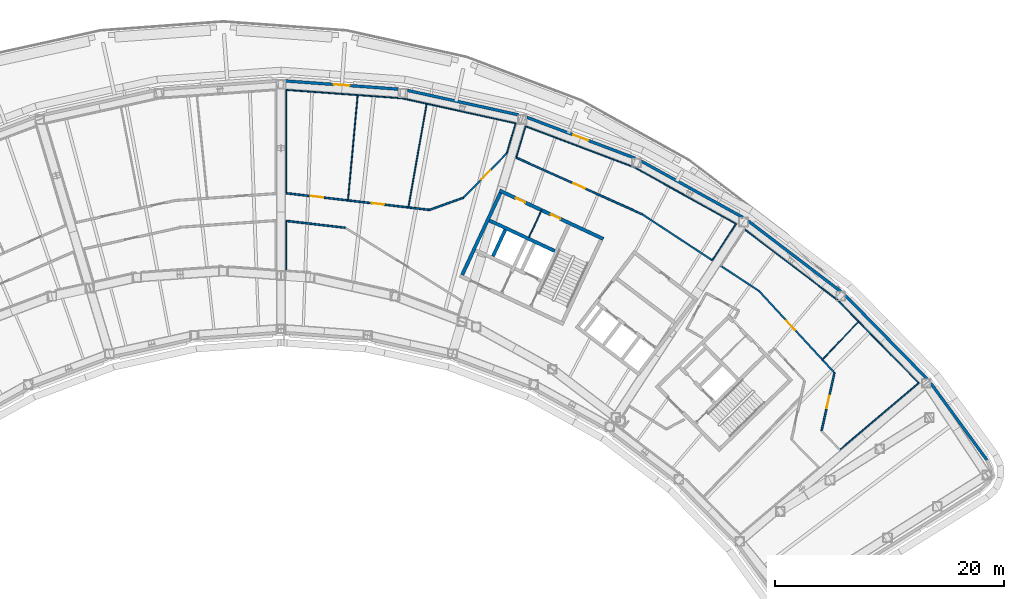
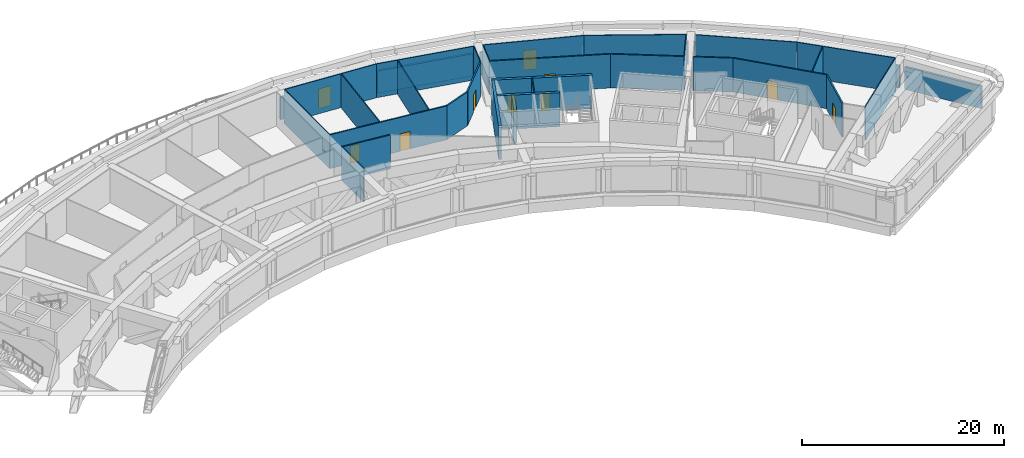
# One storey, part 11 of 24: 36 walls, 10 doors, 10 openings.
"""IFC4 building model written with IfcOpenShell, lengths in metres."""

import ifcopenshell
import ifcopenshell.guid

model = None  # the IFC model being written
_history = None  # IfcOwnerHistory: only IFC2X3 demands one
_inside = {}  # id of a spatial element -> (the spatial element, [elements in it])
_under = {}  # id of a project, library or spatial element -> (it, [spatial elements below it])
_declared = {}  # id of a project -> (the project, [libraries it declares])
_typed = {}  # id of a type object -> (the type object, [elements of that type])
_made_of = {}  # id of a material, layer set ... -> (it, [elements and type objects made of it])


def new_model(schema):
    """Start an empty IFC model of exactly this schema.

    Asked for "IFC4X3", IfcOpenShell would pick the latest addendum, in which some entities
    have other attributes; the version numbers below select the first issue.
    IFC2X3 requires an IfcOwnerHistory on every rooted entity: one is made here for all.
    """
    global model, _history
    if schema == "IFC4X3":
        model = ifcopenshell.file(schema_version=(4, 3, 0, 0))
    else:
        model = ifcopenshell.file(schema=schema)
    _inside.clear()
    _under.clear()
    _declared.clear()
    _typed.clear()
    _made_of.clear()
    _history = None
    if model.schema == "IFC2X3":
        org = make("IfcOrganization", Name="unknown")
        user = make(
            "IfcPersonAndOrganization",
            ThePerson=make("IfcPerson", FamilyName="unknown"),
            TheOrganization=org,
        )
        app = make(
            "IfcApplication",
            ApplicationDeveloper=org,
            Version="unknown",
            ApplicationFullName="unknown",
            ApplicationIdentifier="unknown",
        )
        _history = make(
            "IfcOwnerHistory",
            OwningUser=user,
            OwningApplication=app,
            ChangeAction="ADDED",
            CreationDate=0,
        )
    return model


def make(cls, **values):
    """One entity of the class cls with the attributes given. An attribute that is None is left unset."""
    return model.create_entity(
        cls, **{name: value for name, value in values.items() if value is not None}
    )


def rooted(cls, **values):
    """An entity with a GlobalId (a new one), such as an element, a storey or a relation."""
    return make(cls, GlobalId=ifcopenshell.guid.new(), OwnerHistory=_history, **values)


def si_unit(unit_type, name, prefix=None):
    """IfcSIUnit, for example si_unit("LENGTHUNIT", "METRE", prefix="MILLI")."""
    return make("IfcSIUnit", UnitType=unit_type, Prefix=prefix, Name=name)


def assignment(units):
    """IfcUnitAssignment: the units of a project."""
    return None if units is None else make("IfcUnitAssignment", Units=units)


def point(xyz):
    """IfcCartesianPoint."""
    return None if xyz is None else make("IfcCartesianPoint", Coordinates=xyz)


def direction(xyz):
    """IfcDirection."""
    return None if xyz is None else make("IfcDirection", DirectionRatios=xyz)


def frame(location, z_axis=None, x_axis=None):
    """IfcAxis2Placement3D, a coordinate frame: its origin and axes. An axis left out is left unset."""
    return make(
        "IfcAxis2Placement3D",
        Location=point(location),
        Axis=direction(z_axis),
        RefDirection=direction(x_axis),
    )


def frame_2d(location, x_axis=None):
    """IfcAxis2Placement2D, a coordinate frame in the plane: its origin and x axis."""
    return make(
        "IfcAxis2Placement2D", Location=point(location), RefDirection=direction(x_axis)
    )


def origin():
    """The frame at (0, 0, 0) with its axes left unset."""
    return frame((0.0, 0.0, 0.0))


def place(relative_to, where):
    """IfcLocalPlacement: puts the frame where relative to a parent placement (None: the world)."""
    return make(
        "IfcLocalPlacement", PlacementRelTo=relative_to, RelativePlacement=where
    )


def context(
    kind, dimensions, precision=None, world=None, true_north=None, identifier=None
):
    """IfcGeometricRepresentationContext, for example the 3D "Model" context."""
    return make(
        "IfcGeometricRepresentationContext",
        ContextIdentifier=identifier,
        ContextType=kind,
        CoordinateSpaceDimension=dimensions,
        Precision=precision,
        WorldCoordinateSystem=world,
        TrueNorth=true_north,
    )


def subcontext(parent, identifier, kind, view, scale=None):
    """IfcGeometricRepresentationSubContext, for example "Body" below "Model"."""
    return make(
        "IfcGeometricRepresentationSubContext",
        ContextIdentifier=identifier,
        ContextType=kind,
        ParentContext=parent,
        TargetScale=scale,
        TargetView=view,
    )


def project(units=None, contexts=None):
    """IfcProject with its units and contexts."""
    return rooted(
        "IfcProject",
        Name="project",
        RepresentationContexts=contexts,
        UnitsInContext=assignment(units),
    )


def spatial(cls, under=None, at=None, **own):
    """A site, building, storey or space (cls), placed at a placement, below another one or the project."""
    s = rooted(cls, ObjectPlacement=at, **own)
    if under is not None:
        _under.setdefault(under.id(), (under, []))[1].append(s)
    return s


def profile(cls, at=None, kind="AREA", **sizes):
    """A parametric profile (cls). Its sizes go by their IFC names, for example OverallWidth=200.0."""
    return make(cls, ProfileType=kind, Position=at, **sizes)


def rectangle(**sizes):
    """IfcRectangleProfileDef."""
    return profile("IfcRectangleProfileDef", **sizes)


def extrude(swept, where, along, depth):
    """IfcExtrudedAreaSolid: the profile swept, set in the frame where, extruded along a direction by depth."""
    return make(
        "IfcExtrudedAreaSolid",
        SweptArea=swept,
        Position=where,
        ExtrudedDirection=direction(along),
        Depth=depth,
    )


def shape(context_of_items, identifier, shape_type, items):
    """IfcShapeRepresentation: the items that make up one representation, for example the "Body"."""
    return make(
        "IfcShapeRepresentation",
        ContextOfItems=context_of_items,
        RepresentationIdentifier=identifier,
        RepresentationType=shape_type,
        Items=items,
    )


def material(Name=None, Category=None):
    """IfcMaterial."""
    return make("IfcMaterial", Name=Name, Category=Category)


def layer(
    of_material, thickness, ventilated=None, Name=None, Category=None, Priority=None
):
    """IfcMaterialLayer: one layer of a wall or slab, of a material (None: an air gap)."""
    return make(
        "IfcMaterialLayer",
        Material=of_material,
        LayerThickness=thickness,
        IsVentilated=ventilated,
        Name=Name,
        Category=Category,
        Priority=Priority,
    )


def layer_set(layers, Name=None):
    """IfcMaterialLayerSet."""
    return make("IfcMaterialLayerSet", MaterialLayers=layers, LayerSetName=Name)


def made_of(thing, what):
    """Note that an element or type object is made of a material, layer set ...; save() writes the relation."""
    if what is not None:
        _made_of.setdefault(what.id(), (what, []))[1].append(thing)
    return thing


def type_object(cls, material=None, **own):
    """A type object (cls), such as IfcWallType, which elements share."""
    return made_of(rooted(cls, **own), material)


def element(
    cls,
    number,
    at=None,
    inside=None,
    cuts=None,
    type_object=None,
    material=None,
    context=None,
    identifier="Body",
    shape_type=None,
    held_by="IfcProductDefinitionShape",
    body=None,
    shapes=None,
    **own,
):
    """One element of the class cls, such as IfcWall. Its Tag is "e" and its number.

    at: its placement. inside: the storey or other place that contains it. cuts: it is an
    opening in that element (IfcRelVoidsElement). A single representation is given by context,
    identifier, shape_type and body (its items); several are given by shapes. held_by: the class
    of the entity that holds the representations. save() writes the other relations.
    """
    e = rooted(cls, Tag="e%d" % number, ObjectPlacement=at, **own)
    if body is not None:
        shapes = [shape(context, identifier, shape_type, body)]
    if shapes is not None:
        e.Representation = make(held_by, Representations=shapes)
    if inside is not None:
        _inside.setdefault(inside.id(), (inside, []))[1].append(e)
    if cuts is not None:
        rooted(
            "IfcRelVoidsElement", RelatingBuildingElement=cuts, RelatedOpeningElement=e
        )
    if type_object is not None:
        _typed.setdefault(type_object.id(), (type_object, []))[1].append(e)
    return made_of(e, material)


def fill(opening, filler):
    """IfcRelFillsElement: the door or window that sits in an opening."""
    return rooted(
        "IfcRelFillsElement",
        RelatingOpeningElement=opening,
        RelatedBuildingElement=filler,
    )


def aggregate(whole, parts):
    """IfcRelAggregates: a whole, such as a stair, and the parts it consists of."""
    return rooted("IfcRelAggregates", RelatingObject=whole, RelatedObjects=parts)


def save(model, path):
    """Write the relations noted so far, then the file.

    IfcRelAggregates (storeys below a building ...), IfcRelContainedInSpatialStructure (elements
    in a storey), IfcRelDefinesByType, IfcRelAssociatesMaterial and IfcRelDeclares: one each for
    every whole, place, type object, material and project.
    """
    for whole, parts in _under.values():
        aggregate(whole, parts)
    for where, things in _inside.values():
        rooted(
            "IfcRelContainedInSpatialStructure",
            RelatedElements=things,
            RelatingStructure=where,
        )
    for kind, things in _typed.values():
        rooted("IfcRelDefinesByType", RelatedObjects=things, RelatingType=kind)
    for what, things in _made_of.values():
        rooted("IfcRelAssociatesMaterial", RelatedObjects=things, RelatingMaterial=what)
    for by, libraries in _declared.values():
        rooted("IfcRelDeclares", RelatingContext=by, RelatedDefinitions=libraries)
    model.write(path)


model = new_model("IFC4")

# Units and contexts
model_context = context("Model", 3, precision=1e-05, world=origin(), true_north=direction((0.0, 1.0)))
body_context = subcontext(model_context, "Body", "Model", "MODEL_VIEW")
ifc_project = project(units=[si_unit("LENGTHUNIT", "METRE"), si_unit("AREAUNIT", "SQUARE_METRE"), si_unit("VOLUMEUNIT", "CUBIC_METRE"), si_unit("PLANEANGLEUNIT", "RADIAN"), si_unit("MASSUNIT", "GRAM", prefix="KILO")], contexts=[model_context])

# Site, building, storey
site_placement = place(None, origin())
site = spatial("IfcSite", under=ifc_project, at=site_placement, CompositionType="ELEMENT")
building_placement = place(site_placement, origin())
building = spatial("IfcBuilding", under=site, at=building_placement, Name="Tuul Gate Civic Tower", CompositionType="ELEMENT")
storey_placement = place(building_placement, frame((0.0, 0.0, 94.800048828125)))
storey = spatial("IfcBuildingStorey", under=building, at=storey_placement, Name="Plant and refuge floor 3", CompositionType="ELEMENT", Elevation=94.800048828125)

# Wall
ifc_material_1 = material(Name="Concrete C50/60", Category="concrete")
ifc_layer_1 = layer(ifc_material_1, 0.300048828125)
ifc_layer_set_1 = layer_set([ifc_layer_1], Name="Concrete C50/60")
wall_type_1 = type_object("IfcWallType", Name="Core wall C50/60", PredefinedType="SHEAR", material=ifc_layer_set_1)
wall_1_placement = place(storey_placement, frame((33.75, -0.873779296875, 0.0), z_axis=(0.0, 0.0, 1.0), x_axis=(-0.906300917592, 0.422632992999, 0.0)))
element("IfcWall", 1, at=wall_1_placement, inside=storey, type_object=wall_type_1, Name="Core wall", PredefinedType="SHEAR", context=body_context, shape_type="SweptSolid", body=[
    extrude(rectangle(XDim=6.300048828125, YDim=0.300048828125, at=frame_2d((3.14990234375, 0.0))), origin(), (0.0, 0.0, 1.0), 4.099853515625),
])

# Wall, openings, doors
wall_2_placement = place(storey_placement, frame((37.993408203125, 0.181884765625, 0.0), z_axis=(0.0, 0.0, 1.0), x_axis=(-0.906310338845, 0.422612789327, 0.0)))
wall_2 = element("IfcWall", 2, at=wall_2_placement, inside=storey, type_object=wall_type_1, Name="Core wall", PredefinedType="SHEAR", context=body_context, shape_type="SweptSolid", body=[
    extrude(rectangle(XDim=9.999755859375, YDim=0.300048828125, at=frame_2d((5.0, 0.0))), origin(), (0.0, 0.0, 1.0), 4.099853515625),
])
opening_1_placement = place(wall_2_placement, frame((4.14990234375, 0.0, 0.0)))
opening_1 = element("IfcOpeningElement", 3, at=opening_1_placement, cuts=wall_2, Name="Opening PA-D30", PredefinedType="OPENING", context=body_context, shape_type="SweptSolid", body=[
    extrude(rectangle(XDim=0.89990234375, YDim=2.10009765625, at=frame_2d((0.449951171875, 1.050048828125))), frame((0.0, 0.16015625, 0.0), z_axis=(0.0, -1.0, 0.0), x_axis=(1.0, 0.0, 0.0)), (0.0, 0.0, 1.0), 0.320068359375),
])
opening_2_placement = place(wall_2_placement, frame((7.52490234375, 0.0, 0.0)))
opening_2 = element("IfcOpeningElement", 4, at=opening_2_placement, cuts=wall_2, Name="Opening PA-D31", PredefinedType="OPENING", context=body_context, shape_type="SweptSolid", body=[
    extrude(rectangle(XDim=0.89990234375, YDim=2.10009765625, at=frame_2d((0.449951171875, 1.050048828125))), frame((0.0, 0.16015625, 0.0), z_axis=(0.0, -1.0, 0.0), x_axis=(1.0, 0.0, 0.0)), (0.0, 0.0, 1.0), 0.320068359375),
])
ifc_material_2 = material(Name="Timber door leaf", Category="wood")
door_type_1 = type_object("IfcDoorType", Name="Door D09", OperationType="NOTDEFINED", PredefinedType="DOOR", material=ifc_material_2)
door_1_placement = place(opening_1_placement, origin())
door_1 = element("IfcDoor", 5, at=door_1_placement, inside=storey, type_object=door_type_1, Name="Door PA-D30", OperationType="SINGLE_SWING_LEFT", OverallHeight=2.10009765625, OverallWidth=0.89990234375, PredefinedType="DOOR", context=body_context, shape_type="SweptSolid", body=[
    extrude(rectangle(XDim=0.89990234375, YDim=2.10009765625, at=frame_2d((0.449951171875, 1.050048828125))), frame((0.0, 0.02490234375, 0.0), z_axis=(0.0, -1.0, 0.0), x_axis=(1.0, 0.0, 0.0)), (0.0, 0.0, 1.0), 0.050048828125),
])
fill(opening_1, door_1)
door_2_placement = place(opening_2_placement, origin())
door_2 = element("IfcDoor", 6, at=door_2_placement, inside=storey, type_object=door_type_1, Name="Door PA-D31", OperationType="SINGLE_SWING_RIGHT", OverallHeight=2.10009765625, OverallWidth=0.89990234375, PredefinedType="DOOR", context=body_context, shape_type="SweptSolid", body=[
    extrude(rectangle(XDim=0.89990234375, YDim=2.10009765625, at=frame_2d((0.449951171875, 1.050048828125))), frame((0.0, 0.02490234375, 0.0), z_axis=(0.0, -1.0, 0.0), x_axis=(1.0, 0.0, 0.0)), (0.0, 0.0, 1.0), 0.050048828125),
])
fill(opening_2, door_2)

# Walls
wall_3_placement = place(storey_placement, frame((28.349365234375, -1.33447265625, 0.0), z_axis=(0.0, 0.0, 1.0), x_axis=(0.422612891016, 0.906310291427, 0.0)))
element("IfcWall", 7, at=wall_3_placement, inside=storey, type_object=wall_type_1, Name="Core wall", PredefinedType="SHEAR", context=body_context, shape_type="SweptSolid", body=[
    extrude(rectangle(XDim=2.550048828125, YDim=0.300048828125, at=frame_2d((1.27490234375, 0.0))), origin(), (0.0, 0.0, 1.0), 4.099853515625),
])
wall_4_placement = place(storey_placement, frame((25.66455078125, -2.951416015625, 0.0), z_axis=(0.0, 0.0, 1.0), x_axis=(0.422582604137, 0.906324413596, 0.0)))
element("IfcWall", 8, at=wall_4_placement, inside=storey, type_object=wall_type_1, Name="Core wall", PredefinedType="SHEAR", context=body_context, shape_type="SweptSolid", body=[
    extrude(rectangle(XDim=7.89990234375, YDim=0.300048828125, at=frame_2d((3.949951171875, 0.0))), origin(), (0.0, 0.0, 1.0), 4.099853515625),
])

# Wall, opening, door
ifc_material_3 = material(Name="Gypsum board partition")
ifc_layer_2 = layer(ifc_material_3, 0.14990234375)
ifc_layer_set_2 = layer_set([ifc_layer_2], Name="Gypsum board partition")
wall_type_2 = type_object("IfcWallType", Name="Corridor wall P150", PredefinedType="PARTITIONING", material=ifc_layer_set_2)
wall_5_placement = place(storey_placement, frame((57.0556640625, -16.5859375, 0.0), z_axis=(0.0, 0.0, 1.0), x_axis=(0.217119378108, 0.976145058713, 0.0)))
wall_5 = element("IfcWall", 9, at=wall_5_placement, inside=storey, type_object=wall_type_2, Name="p015", PredefinedType="PARTITIONING", context=body_context, shape_type="SweptSolid", body=[
    extrude(rectangle(XDim=5.199462890625, YDim=0.14990234375, at=frame_2d((2.599609375, 0.0))), origin(), (0.0, 0.0, 1.0), 4.099853515625),
])
opening_3_placement = place(wall_5_placement, frame((2.0498046875, 0.0, 0.0)))
opening_3 = element("IfcOpeningElement", 10, at=opening_3_placement, cuts=wall_5, Name="Opening PA-D051", PredefinedType="OPENING", context=body_context, shape_type="SweptSolid", body=[
    extrude(rectangle(XDim=1.10009765625, YDim=2.10009765625, at=frame_2d((0.550048828125, 1.050048828125))), frame((0.0, 0.0849609375, 0.0), z_axis=(0.0, -1.0, 0.0), x_axis=(1.0, 0.0, 0.0)), (0.0, 0.0, 1.0), 0.169921875),
])
ifc_material_4 = material(Name="Timber door leaf", Category="wood")
door_type_2 = type_object("IfcDoorType", Name="Door D11", OperationType="NOTDEFINED", PredefinedType="DOOR", material=ifc_material_4)
door_3_placement = place(opening_3_placement, frame((1.10009765625, 0.0, 0.0), z_axis=(0.0, 0.0, 1.0), x_axis=(-1.0, 0.0, 0.0)))
door_3 = element("IfcDoor", 11, at=door_3_placement, inside=storey, type_object=door_type_2, Name="Door PA-D05", OperationType="SINGLE_SWING_LEFT", OverallHeight=2.10009765625, OverallWidth=1.10009765625, PredefinedType="DOOR", context=body_context, shape_type="SweptSolid", body=[
    extrude(rectangle(XDim=1.10009765625, YDim=2.10009765625, at=frame_2d((0.550048828125, 1.050048828125))), frame((0.0, 0.02490234375, 0.0), z_axis=(0.0, -1.0, 0.0), x_axis=(1.0, 0.0, 0.0)), (0.0, 0.0, 1.0), 0.050048828125),
])
fill(opening_3, door_3)

wall_6_placement = place(storey_placement, frame((51.58984375, -4.361083984375, 0.0), z_axis=(0.0, 0.0, 1.0), x_axis=(0.678066334732, -0.735000711362, 0.0)))
wall_6 = element("IfcWall", 12, at=wall_6_placement, inside=storey, type_object=wall_type_2, Name="p016", PredefinedType="PARTITIONING", context=body_context, shape_type="SweptSolid", body=[
    extrude(rectangle(XDim=9.725341796875, YDim=0.14990234375, at=frame_2d((4.86279296875, 0.0))), origin(), (0.0, 0.0, 1.0), 4.099853515625),
])
opening_4_placement = place(wall_6_placement, frame((3.535400390625, 0.0, 0.0)))
opening_4 = element("IfcOpeningElement", 13, at=opening_4_placement, cuts=wall_6, Name="Opening PA-D061", PredefinedType="OPENING", context=body_context, shape_type="SweptSolid", body=[
    extrude(rectangle(XDim=1.10009765625, YDim=2.10009765625, at=frame_2d((0.550048828125, 1.050048828125))), frame((0.0, 0.0849609375, 0.0), z_axis=(0.0, -1.0, 0.0), x_axis=(1.0, 0.0, 0.0)), (0.0, 0.0, 1.0), 0.169921875),
])
door_4_placement = place(opening_4_placement, origin())
door_4 = element("IfcDoor", 14, at=door_4_placement, inside=storey, type_object=door_type_2, Name="Door PA-D06", OperationType="SINGLE_SWING_RIGHT", OverallHeight=2.10009765625, OverallWidth=1.10009765625, PredefinedType="DOOR", context=body_context, shape_type="SweptSolid", body=[
    extrude(rectangle(XDim=1.10009765625, YDim=2.10009765625, at=frame_2d((0.550048828125, 1.050048828125))), frame((0.0, 0.02490234375, 0.0), z_axis=(0.0, -1.0, 0.0), x_axis=(1.0, 0.0, 0.0)), (0.0, 0.0, 1.0), 0.050048828125),
])
fill(opening_4, door_4)

# Walls
wall_7_placement = place(storey_placement, frame((41.381103515625, 2.343505859375, 0.0), z_axis=(0.0, 0.0, 1.0), x_axis=(0.835857403993, -0.548946627816, 0.0)))
element("IfcWall", 15, at=wall_7_placement, inside=storey, type_object=wall_type_2, Name="p018", PredefinedType="PARTITIONING", context=body_context, shape_type="SweptSolid", body=[
    extrude(rectangle(XDim=7.33154296875, YDim=0.14990234375, at=frame_2d((3.665771484375, 0.0))), origin(), (0.0, 0.0, 1.0), 4.099853515625),
])
wall_8_placement = place(storey_placement, frame((48.26171875, -2.17529296875, 0.0), z_axis=(0.0, 0.0, 1.0), x_axis=(0.835852650652, -0.548953865455, 0.0)))
element("IfcWall", 16, at=wall_8_placement, inside=storey, type_object=wall_type_2, Name="p019", PredefinedType="PARTITIONING", context=body_context, shape_type="SweptSolid", body=[
    extrude(rectangle(XDim=3.97998046875, YDim=0.14990234375, at=frame_2d((1.989990234375, 0.0))), origin(), (0.0, 0.0, 1.0), 4.099853515625),
])

# Wall, opening, door
wall_9_placement = place(storey_placement, frame((30.3828125, 7.283447265625, 0.0), z_axis=(0.0, 0.0, 1.0), x_axis=(0.912207750925, -0.4097279819, 0.0)))
wall_9 = element("IfcWall", 17, at=wall_9_placement, inside=storey, type_object=wall_type_2, Name="p021", PredefinedType="PARTITIONING", context=body_context, shape_type="SweptSolid", body=[
    extrude(rectangle(XDim=12.055419921875, YDim=0.14990234375, at=frame_2d((6.02783203125, 0.0))), origin(), (0.0, 0.0, 1.0), 4.099853515625),
])
opening_5_placement = place(wall_9_placement, frame((5.477783203125, 0.0, 0.0)))
opening_5 = element("IfcOpeningElement", 18, at=opening_5_placement, cuts=wall_9, Name="Opening PA-D07", PredefinedType="OPENING", context=body_context, shape_type="SweptSolid", body=[
    extrude(rectangle(XDim=1.10009765625, YDim=2.10009765625, at=frame_2d((0.550048828125, 1.050048828125))), frame((0.0, 0.0849609375, 0.0), z_axis=(0.0, -1.0, 0.0), x_axis=(1.0, 0.0, 0.0)), (0.0, 0.0, 1.0), 0.169921875),
])
door_5_placement = place(opening_5_placement, origin())
door_5 = element("IfcDoor", 19, at=door_5_placement, inside=storey, type_object=door_type_2, Name="Door PA-D07", OperationType="SINGLE_SWING_RIGHT", OverallHeight=2.10009765625, OverallWidth=1.10009765625, PredefinedType="DOOR", context=body_context, shape_type="SweptSolid", body=[
    extrude(rectangle(XDim=1.10009765625, YDim=2.10009765625, at=frame_2d((0.550048828125, 1.050048828125))), frame((0.0, 0.02490234375, 0.0), z_axis=(0.0, -1.0, 0.0), x_axis=(1.0, 0.0, 0.0)), (0.0, 0.0, 1.0), 0.050048828125),
])
fill(opening_5, door_5)

wall_10_placement = place(storey_placement, frame((25.78271484375, 3.79150390625, 0.0), z_axis=(0.0, 0.0, 1.0), x_axis=(0.698509714065, 0.715600572497, 0.0)))
wall_10 = element("IfcWall", 20, at=wall_10_placement, inside=storey, type_object=wall_type_2, Name="p023", PredefinedType="PARTITIONING", context=body_context, shape_type="SweptSolid", body=[
    extrude(rectangle(XDim=5.399658203125, YDim=0.14990234375, at=frame_2d((2.69970703125, 0.0))), origin(), (0.0, 0.0, 1.0), 4.099853515625),
])
opening_6_placement = place(wall_10_placement, frame((2.242919921875, 0.0, 0.0)))
opening_6 = element("IfcOpeningElement", 21, at=opening_6_placement, cuts=wall_10, Name="Opening PA-D08", PredefinedType="OPENING", context=body_context, shape_type="SweptSolid", body=[
    extrude(rectangle(XDim=1.10009765625, YDim=2.10009765625, at=frame_2d((0.550048828125, 1.050048828125))), frame((0.0, 0.0849609375, 0.0), z_axis=(0.0, -1.0, 0.0), x_axis=(1.0, 0.0, 0.0)), (0.0, 0.0, 1.0), 0.169921875),
])
door_6_placement = place(opening_6_placement, origin())
door_6 = element("IfcDoor", 22, at=door_6_placement, inside=storey, type_object=door_type_2, Name="Door PA-D08", OperationType="SINGLE_SWING_RIGHT", OverallHeight=2.10009765625, OverallWidth=1.10009765625, PredefinedType="DOOR", context=body_context, shape_type="SweptSolid", body=[
    extrude(rectangle(XDim=1.10009765625, YDim=2.10009765625, at=frame_2d((0.550048828125, 1.050048828125))), frame((0.0, 0.02490234375, 0.0), z_axis=(0.0, -1.0, 0.0), x_axis=(1.0, 0.0, 0.0)), (0.0, 0.0, 1.0), 0.050048828125),
])
fill(opening_6, door_6)

# Wall
wall_11_placement = place(storey_placement, frame((22.82421875, 2.719482421875, 0.0), z_axis=(0.0, 0.0, 1.0), x_axis=(0.940582231684, 0.339565995706, 0.0)))
element("IfcWall", 23, at=wall_11_placement, inside=storey, type_object=wall_type_2, Name="p024", PredefinedType="PARTITIONING", context=body_context, shape_type="SweptSolid", body=[
    extrude(rectangle(XDim=3.134765625, YDim=0.14990234375, at=frame_2d((1.5673828125, 0.0))), origin(), (0.0, 0.0, 1.0), 4.099853515625),
])

# Wall, openings, doors
wall_12_placement = place(storey_placement, frame((10.279052734375, 4.17626953125, 0.0), z_axis=(0.0, 0.0, 1.0), x_axis=(0.993305676829, -0.115515507096, 0.0)))
wall_12 = element("IfcWall", 24, at=wall_12_placement, inside=storey, type_object=wall_type_2, Name="p026", PredefinedType="PARTITIONING", context=body_context, shape_type="SweptSolid", body=[
    extrude(rectangle(XDim=12.61962890625, YDim=0.14990234375, at=frame_2d((6.309814453125, 0.0))), origin(), (0.0, 0.0, 1.0), 4.099853515625),
])
opening_7_placement = place(wall_12_placement, frame((7.550537109375, 0.0, 0.0)))
opening_7 = element("IfcOpeningElement", 25, at=opening_7_placement, cuts=wall_12, Name="Opening PA-D09", PredefinedType="OPENING", context=body_context, shape_type="SweptSolid", body=[
    extrude(rectangle(XDim=1.10009765625, YDim=2.10009765625, at=frame_2d((0.550048828125, 1.050048828125))), frame((0.0, 0.0849609375, 0.0), z_axis=(0.0, -1.0, 0.0), x_axis=(1.0, 0.0, 0.0)), (0.0, 0.0, 1.0), 0.169921875),
])
opening_8_placement = place(wall_12_placement, frame((2.172607421875, 0.0, 0.0)))
opening_8 = element("IfcOpeningElement", 26, at=opening_8_placement, cuts=wall_12, Name="Opening PA-D10", PredefinedType="OPENING", context=body_context, shape_type="SweptSolid", body=[
    extrude(rectangle(XDim=1.10009765625, YDim=2.10009765625, at=frame_2d((0.550048828125, 1.050048828125))), frame((0.0, 0.0849609375, 0.0), z_axis=(0.0, -1.0, 0.0), x_axis=(1.0, 0.0, 0.0)), (0.0, 0.0, 1.0), 0.169921875),
])
door_7_placement = place(opening_7_placement, origin())
door_7 = element("IfcDoor", 27, at=door_7_placement, inside=storey, type_object=door_type_2, Name="Door PA-D09", OperationType="SINGLE_SWING_RIGHT", OverallHeight=2.10009765625, OverallWidth=1.10009765625, PredefinedType="DOOR", context=body_context, shape_type="SweptSolid", body=[
    extrude(rectangle(XDim=1.10009765625, YDim=2.10009765625, at=frame_2d((0.550048828125, 1.050048828125))), frame((0.0, 0.02490234375, 0.0), z_axis=(0.0, -1.0, 0.0), x_axis=(1.0, 0.0, 0.0)), (0.0, 0.0, 1.0), 0.050048828125),
])
fill(opening_7, door_7)
door_8_placement = place(opening_8_placement, origin())
door_8 = element("IfcDoor", 28, at=door_8_placement, inside=storey, type_object=door_type_2, Name="Door PA-D10", OperationType="SINGLE_SWING_RIGHT", OverallHeight=2.10009765625, OverallWidth=1.10009765625, PredefinedType="DOOR", context=body_context, shape_type="SweptSolid", body=[
    extrude(rectangle(XDim=1.10009765625, YDim=2.10009765625, at=frame_2d((0.550048828125, 1.050048828125))), frame((0.0, 0.02490234375, 0.0), z_axis=(0.0, -1.0, 0.0), x_axis=(1.0, 0.0, 0.0)), (0.0, 0.0, 1.0), 0.050048828125),
])
fill(opening_8, door_8)

# Walls
wall_13_placement = place(storey_placement, frame((10.279052734375, 1.760009765625, 0.0), z_axis=(0.0, 0.0, 1.0), x_axis=(0.993302619408, -0.115541794506, 0.0)))
element("IfcWall", 29, at=wall_13_placement, inside=storey, type_object=wall_type_2, Name="p029", PredefinedType="PARTITIONING", context=body_context, shape_type="SweptSolid", body=[
    extrude(rectangle(XDim=5.2001953125, YDim=0.14990234375, at=frame_2d((2.60009765625, 0.0))), origin(), (0.0, 0.0, 1.0), 4.099853515625),
])
ifc_material_5 = material(Name="Precast concrete C40/50", Category="concrete")
ifc_layer_3 = layer(ifc_material_5, 0.25)
ifc_layer_set_3 = layer_set([ifc_layer_3], Name="Precast concrete C40/50")
wall_type_3 = type_object("IfcWallType", Name="External wall 2700 HIGH", PredefinedType="STANDARD", material=ifc_layer_set_3)
wall_14_placement = place(storey_placement, frame((71.51806640625, -19.15869140625, 0.0), z_axis=(0.0, 0.0, 1.0), x_axis=(-0.589807307639, 0.807544017287, 0.0)))
element("IfcWall", 30, at=wall_14_placement, inside=storey, type_object=wall_type_3, Name="External wall", PredefinedType="STANDARD", context=body_context, shape_type="SweptSolid", body=[
    extrude(rectangle(XDim=8.336669921875, YDim=0.25, at=frame_2d((4.16845703125, 0.0))), origin(), (0.0, 0.0, 1.0), 2.699951171875),
])
wall_15_placement = place(storey_placement, frame((66.26318359375, -12.029052734375, 0.0), z_axis=(0.0, 0.0, 1.0), x_axis=(-0.699995756968, 0.714147001833, 0.0)))
element("IfcWall", 31, at=wall_15_placement, inside=storey, type_object=wall_type_3, Name="External wall", PredefinedType="STANDARD", context=body_context, shape_type="SweptSolid", body=[
    extrude(rectangle(XDim=10.196044921875, YDim=0.25, at=frame_2d((5.09814453125, 0.0))), origin(), (0.0, 0.0, 1.0), 2.699951171875),
])
wall_16_placement = place(storey_placement, frame((58.7373046875, -4.404052734375, 0.0), z_axis=(0.0, 0.0, 1.0), x_axis=(-0.795611005019, 0.605807831488, 0.0)))
element("IfcWall", 32, at=wall_16_placement, inside=storey, type_object=wall_type_3, Name="External wall", PredefinedType="STANDARD", context=body_context, shape_type="SweptSolid", body=[
    extrude(rectangle(XDim=10.188720703125, YDim=0.25, at=frame_2d((5.09423828125, 0.0))), origin(), (0.0, 0.0, 1.0), 2.699951171875),
])
wall_17_placement = place(storey_placement, frame((50.180419921875, 2.06396484375, 0.0), z_axis=(0.0, 0.0, 1.0), x_axis=(-0.874624927255, 0.484800202789, 0.0)))
element("IfcWall", 33, at=wall_17_placement, inside=storey, type_object=wall_type_3, Name="External wall", PredefinedType="STANDARD", context=body_context, shape_type="SweptSolid", body=[
    extrude(rectangle(XDim=10.161376953125, YDim=0.25, at=frame_2d((5.08056640625, 0.0))), origin(), (0.0, 0.0, 1.0), 2.699951171875),
])

# Wall, opening, door
wall_18_placement = place(storey_placement, frame((40.7548828125, 7.239990234375, 0.0), z_axis=(0.0, 0.0, 1.0), x_axis=(-0.935373348384, 0.353661842912, 0.0)))
wall_18 = element("IfcWall", 34, at=wall_18_placement, inside=storey, type_object=wall_type_3, Name="External wall", PredefinedType="STANDARD", context=body_context, shape_type="SweptSolid", body=[
    extrude(rectangle(XDim=10.102783203125, YDim=0.25, at=frame_2d((5.05126953125, 0.0))), origin(), (0.0, 0.0, 1.0), 2.699951171875),
])
opening_9_placement = place(wall_18_placement, frame((4.35009765625, 0.0, 0.0)))
opening_9 = element("IfcOpeningElement", 35, at=opening_9_placement, cuts=wall_18, Name="Opening TD", PredefinedType="OPENING", context=body_context, shape_type="SweptSolid", body=[
    extrude(rectangle(XDim=1.39990234375, YDim=2.39990234375, at=frame_2d((0.699951171875, 1.199951171875))), frame((0.0, 0.135009765625, 0.0), z_axis=(0.0, -1.0, 0.0), x_axis=(1.0, 0.0, 0.0)), (0.0, 0.0, 1.0), 0.27001953125),
])
ifc_material_6 = material(Name="Glazed aluminium", Category="aluminium")
door_type_3 = type_object("IfcDoorType", Name="Terrace door", OperationType="DOUBLE_DOOR_SINGLE_SWING", PredefinedType="DOOR", material=ifc_material_6)
door_9_placement = place(opening_9_placement, frame((1.39990234375, 0.0, 0.0), z_axis=(0.0, 0.0, 1.0), x_axis=(-1.0, 0.0, 0.0)))
door_9 = element("IfcDoor", 36, at=door_9_placement, inside=storey, type_object=door_type_3, Name="Terrace door", OperationType="DOUBLE_DOOR_SINGLE_SWING", OverallHeight=2.39990234375, OverallWidth=1.39990234375, PredefinedType="DOOR", context=body_context, shape_type="SweptSolid", body=[
    extrude(rectangle(XDim=1.39990234375, YDim=2.39990234375, at=frame_2d((0.699951171875, 1.199951171875))), frame((0.0, 0.02490234375, 0.0), z_axis=(0.0, -1.0, 0.0), x_axis=(1.0, 0.0, 0.0)), (0.0, 0.0, 1.0), 0.050048828125),
])
fill(opening_9, door_9)

# Wall
wall_19_placement = place(storey_placement, frame((30.598388671875, 11.01708984375, 0.0), z_axis=(0.0, 0.0, 1.0), x_axis=(-0.976568745671, 0.215205680636, 0.0)))
element("IfcWall", 37, at=wall_19_placement, inside=storey, type_object=wall_type_3, Name="External wall", PredefinedType="STANDARD", context=body_context, shape_type="SweptSolid", body=[
    extrude(rectangle(XDim=9.95361328125, YDim=0.25, at=frame_2d((4.976806640625, 0.0))), origin(), (0.0, 0.0, 1.0), 2.699951171875),
])

# Wall, opening, door
wall_20_placement = place(storey_placement, frame((20.077880859375, 13.269287109375, 0.0), z_axis=(0.0, 0.0, 1.0), x_axis=(-0.997379911985, 0.072341628181, 0.0)))
wall_20 = element("IfcWall", 38, at=wall_20_placement, inside=storey, type_object=wall_type_3, Name="External wall", PredefinedType="STANDARD", context=body_context, shape_type="SweptSolid", body=[
    extrude(rectangle(XDim=9.874755859375, YDim=0.25, at=frame_2d((4.9375, 0.0))), origin(), (0.0, 0.0, 1.0), 2.699951171875),
])
opening_10_placement = place(wall_20_placement, frame((4.25, 0.0, 0.0)))
opening_10 = element("IfcOpeningElement", 39, at=opening_10_placement, cuts=wall_20, Name="Opening TD", PredefinedType="OPENING", context=body_context, shape_type="SweptSolid", body=[
    extrude(rectangle(XDim=1.39990234375, YDim=2.39990234375, at=frame_2d((0.699951171875, 1.199951171875))), frame((0.0, 0.135009765625, 0.0), z_axis=(0.0, -1.0, 0.0), x_axis=(1.0, 0.0, 0.0)), (0.0, 0.0, 1.0), 0.27001953125),
])
door_10_placement = place(opening_10_placement, frame((1.39990234375, 0.0, 0.0), z_axis=(0.0, 0.0, 1.0), x_axis=(-1.0, 0.0, 0.0)))
door_10 = element("IfcDoor", 40, at=door_10_placement, inside=storey, type_object=door_type_3, Name="Terrace door", OperationType="DOUBLE_DOOR_SINGLE_SWING", OverallHeight=2.39990234375, OverallWidth=1.39990234375, PredefinedType="DOOR", context=body_context, shape_type="SweptSolid", body=[
    extrude(rectangle(XDim=1.39990234375, YDim=2.39990234375, at=frame_2d((0.699951171875, 1.199951171875))), frame((0.0, 0.02490234375, 0.0), z_axis=(0.0, -1.0, 0.0), x_axis=(1.0, 0.0, 0.0)), (0.0, 0.0, 1.0), 0.050048828125),
])
fill(opening_10, door_10)

# Walls
ifc_material_7 = material(Name="Gypsum board partition")
ifc_layer_4 = layer(ifc_material_7, 0.10009765625)
ifc_layer_set_4 = layer_set([ifc_layer_4], Name="Gypsum board partition")
wall_type_4 = type_object("IfcWallType", Name="Partition P100", PredefinedType="PARTITIONING", material=ifc_layer_set_4)
wall_21_placement = place(storey_placement, frame((57.130126953125, -10.36669921875, 0.0), z_axis=(0.0, 0.0, 1.0), x_axis=(0.688395460276, 0.725335570802, 0.0)))
element("IfcWall", 41, at=wall_21_placement, inside=storey, type_object=wall_type_4, Name="p014", PredefinedType="PARTITIONING", context=body_context, shape_type="SweptSolid", body=[
    extrude(rectangle(XDim=4.586669921875, YDim=0.10009765625, at=frame_2d((2.29345703125, 0.0))), origin(), (0.0, 0.0, 1.0), 4.099853515625),
])
wall_22_placement = place(storey_placement, frame((20.963134765625, 2.93359375, 0.0), z_axis=(0.0, 0.0, 1.0), x_axis=(0.173633967348, 0.984810258569, 0.0)))
element("IfcWall", 42, at=wall_22_placement, inside=storey, type_object=wall_type_4, Name="p022", PredefinedType="PARTITIONING", context=body_context, shape_type="SweptSolid", body=[
    extrude(rectangle(XDim=9.201171875, YDim=0.10009765625, at=frame_2d((4.6005859375, 0.0))), origin(), (0.0, 0.0, 1.0), 4.099853515625),
])
wall_23_placement = place(storey_placement, frame((15.6875, 3.547119140625, 0.0), z_axis=(0.0, 0.0, 1.0), x_axis=(0.09148851599, 0.995806131454, 0.0)))
element("IfcWall", 43, at=wall_23_placement, inside=storey, type_object=wall_type_4, Name="p027", PredefinedType="PARTITIONING", context=body_context, shape_type="SweptSolid", body=[
    extrude(rectangle(XDim=9.2412109375, YDim=0.10009765625, at=frame_2d((4.62060546875, 0.0))), origin(), (0.0, 0.0, 1.0), 4.099853515625),
])
wall_24_placement = place(storey_placement, frame((58.427490234375, -5.142333984375, 0.0), z_axis=(0.0, 0.0, 1.0), x_axis=(0.700056277125, -0.71408767589, 0.0)))
element("IfcWall", 44, at=wall_24_placement, inside=storey, type_object=wall_type_4, Name="p064", PredefinedType="PARTITIONING", context=body_context, shape_type="SweptSolid", body=[
    extrude(rectangle(XDim=10.161376953125, YDim=0.10009765625, at=frame_2d((5.08056640625, 0.0))), origin(), (0.0, 0.0, 1.0), 4.099853515625),
])
wall_25_placement = place(storey_placement, frame((65.541015625, -12.3984375, 0.0), z_axis=(0.0, 0.0, 1.0), x_axis=(-0.762827745344, -0.646601756055, 0.0)))
element("IfcWall", 45, at=wall_25_placement, inside=storey, type_object=wall_type_4, Name="p065", PredefinedType="PARTITIONING", context=body_context, shape_type="SweptSolid", body=[
    extrude(rectangle(XDim=9.02392578125, YDim=0.10009765625, at=frame_2d((4.511962890625, 0.0))), origin(), (0.0, 0.0, 1.0), 4.099853515625),
])
wall_26_placement = place(storey_placement, frame((50.34326171875, 1.012939453125, 0.0), z_axis=(0.0, 0.0, 1.0), x_axis=(0.795628036351, -0.605785463488, 0.0)))
element("IfcWall", 46, at=wall_26_placement, inside=storey, type_object=wall_type_4, Name="p067", PredefinedType="PARTITIONING", context=body_context, shape_type="SweptSolid", body=[
    extrude(rectangle(XDim=10.160888671875, YDim=0.10009765625, at=frame_2d((5.08056640625, 0.0))), origin(), (0.0, 0.0, 1.0), 4.099853515625),
])
wall_27_placement = place(storey_placement, frame((30.3828125, 7.283447265625, 0.0), z_axis=(0.0, 0.0, 1.0), x_axis=(0.285177982699, 0.958474578788, 0.0)))
element("IfcWall", 47, at=wall_27_placement, inside=storey, type_object=wall_type_4, Name="p069", PredefinedType="PARTITIONING", context=body_context, shape_type="SweptSolid", body=[
    extrude(rectangle(XDim=2.860107421875, YDim=0.10009765625, at=frame_2d((1.43017578125, 0.0))), origin(), (0.0, 0.0, 1.0), 4.099853515625),
])
wall_28_placement = place(storey_placement, frame((31.198486328125, 10.02490234375, 0.0), z_axis=(0.0, 0.0, 1.0), x_axis=(0.935358022821, -0.353702373676, 0.0)))
element("IfcWall", 48, at=wall_28_placement, inside=storey, type_object=wall_type_4, Name="p070", PredefinedType="PARTITIONING", context=body_context, shape_type="SweptSolid", body=[
    extrude(rectangle(XDim=10.161865234375, YDim=0.10009765625, at=frame_2d((5.0810546875, 0.0))), origin(), (0.0, 0.0, 1.0), 4.099853515625),
])
wall_29_placement = place(storey_placement, frame((40.703369140625, 6.4306640625, 0.0), z_axis=(0.0, 0.0, 1.0), x_axis=(0.8746170667, -0.484814383695, 0.0)))
element("IfcWall", 49, at=wall_29_placement, inside=storey, type_object=wall_type_4, Name="p071", PredefinedType="PARTITIONING", context=body_context, shape_type="SweptSolid", body=[
    extrude(rectangle(XDim=10.16015625, YDim=0.10009765625, at=frame_2d((5.080078125, 0.0))), origin(), (0.0, 0.0, 1.0), 4.099853515625),
])
wall_30_placement = place(storey_placement, frame((49.589599609375, 1.5048828125, 0.0), z_axis=(0.0, 0.0, 1.0), x_axis=(-0.546723725758, -0.837313064328, 0.0)))
element("IfcWall", 50, at=wall_30_placement, inside=storey, type_object=wall_type_4, Name="p072", PredefinedType="PARTITIONING", context=body_context, shape_type="SweptSolid", body=[
    extrude(rectangle(XDim=3.80517578125, YDim=0.10009765625, at=frame_2d((1.902587890625, 0.0))), origin(), (0.0, 0.0, 1.0), 4.099853515625),
])
wall_31_placement = place(storey_placement, frame((20.4130859375, 12.468505859375, 0.0), z_axis=(0.0, 0.0, 1.0), x_axis=(0.976566047517, -0.215217924061, 0.0)))
element("IfcWall", 51, at=wall_31_placement, inside=storey, type_object=wall_type_4, Name="p073", PredefinedType="PARTITIONING", context=body_context, shape_type="SweptSolid", body=[
    extrude(rectangle(XDim=10.16064453125, YDim=0.10009765625, at=frame_2d((5.080322265625, 0.0))), origin(), (0.0, 0.0, 1.0), 4.099853515625),
])
wall_32_placement = place(storey_placement, frame((30.335693359375, 10.28173828125, 0.0), z_axis=(0.0, 0.0, 1.0), x_axis=(-0.285131786889, -0.958488322363, 0.0)))
element("IfcWall", 52, at=wall_32_placement, inside=storey, type_object=wall_type_4, Name="p074", PredefinedType="PARTITIONING", context=body_context, shape_type="SweptSolid", body=[
    extrude(rectangle(XDim=2.739990234375, YDim=0.10009765625, at=frame_2d((1.3701171875, 0.0))), origin(), (0.0, 0.0, 1.0), 4.099853515625),
])
wall_33_placement = place(storey_placement, frame((10.279052734375, 13.2021484375, 0.0), z_axis=(0.0, 0.0, 1.0), x_axis=(0.997389814111, -0.072204977027, 0.0)))
element("IfcWall", 53, at=wall_33_placement, inside=storey, type_object=wall_type_4, Name="p075", PredefinedType="PARTITIONING", context=body_context, shape_type="SweptSolid", body=[
    extrude(rectangle(XDim=10.16064453125, YDim=0.10009765625, at=frame_2d((5.080322265625, 0.0))), origin(), (0.0, 0.0, 1.0), 4.099853515625),
])
wall_34_placement = place(storey_placement, frame((10.279052734375, 4.17626953125, 0.0), z_axis=(0.0, 0.0, 1.0), x_axis=(0.0, 1.0, 0.0)))
element("IfcWall", 54, at=wall_34_placement, inside=storey, type_object=wall_type_4, Name="p077", PredefinedType="PARTITIONING", context=body_context, shape_type="SweptSolid", body=[
    extrude(rectangle(XDim=9.02587890625, YDim=0.10009765625, at=frame_2d((4.512939453125, 0.0))), origin(), (0.0, 0.0, 1.0), 4.099853515625),
])
wall_35_placement = place(storey_placement, frame((10.279052734375, -2.594482421875, 0.0), z_axis=(0.0, 0.0, 1.0), x_axis=(0.0, 1.0, 0.0)))
element("IfcWall", 55, at=wall_35_placement, inside=storey, type_object=wall_type_4, Name="p085", PredefinedType="PARTITIONING", context=body_context, shape_type="SweptSolid", body=[
    extrude(rectangle(XDim=4.3544921875, YDim=0.10009765625, at=frame_2d((2.17724609375, 0.0))), origin(), (0.0, 0.0, 1.0), 4.099853515625),
])
wall_36_placement = place(storey_placement, frame((31.502197265625, 0.33984375, 0.0), z_axis=(0.0, 0.0, 1.0), x_axis=(0.422556439746, 0.906336612539, 0.0)))
element("IfcWall", 56, at=wall_36_placement, inside=storey, type_object=wall_type_4, Name="bE3-BAND-0", PredefinedType="PARTITIONING", context=body_context, shape_type="SweptSolid", body=[
    extrude(rectangle(XDim=2.599853515625, YDim=0.10009765625, at=frame_2d((1.2998046875, 0.0))), origin(), (0.0, 0.0, 1.0), 4.099853515625),
])

save(model, "model.ifc")
